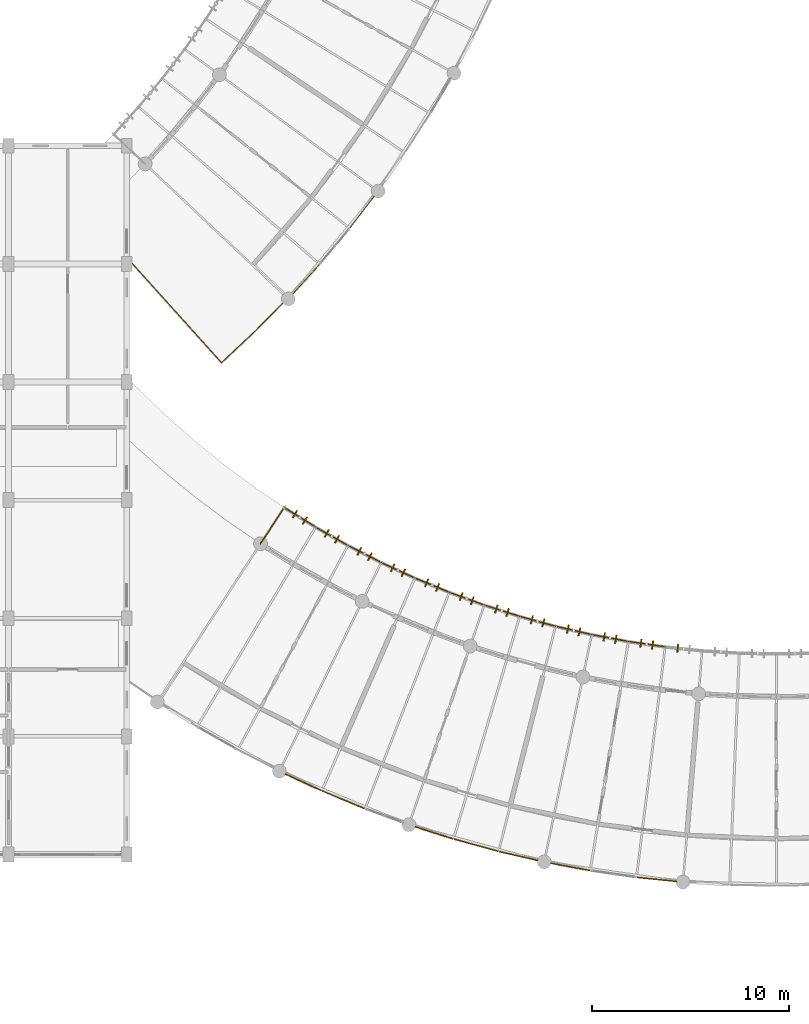
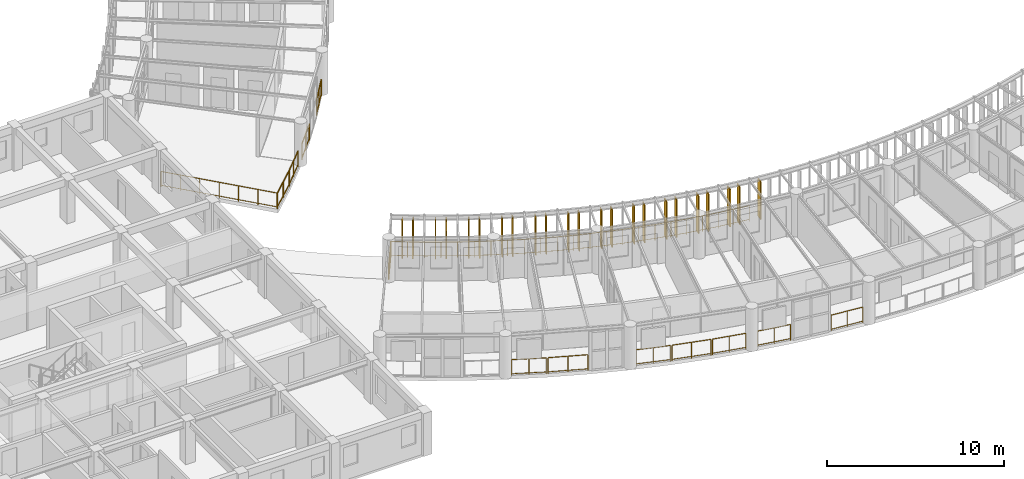
# One storey, part 89 of 100: 24 railings, 23 shading devices.
"""IFC4 building model written with IfcOpenShell, lengths in metres."""

import ifcopenshell
import ifcopenshell.guid

model = None  # the IFC model being written
_history = None  # IfcOwnerHistory: only IFC2X3 demands one
_inside = {}  # id of a spatial element -> (the spatial element, [elements in it])
_under = {}  # id of a project, library or spatial element -> (it, [spatial elements below it])
_declared = {}  # id of a project -> (the project, [libraries it declares])
_typed = {}  # id of a type object -> (the type object, [elements of that type])
_made_of = {}  # id of a material, layer set ... -> (it, [elements and type objects made of it])


def new_model(schema):
    """Start an empty IFC model of exactly this schema.

    Asked for "IFC4X3", IfcOpenShell would pick the latest addendum, in which some entities
    have other attributes; the version numbers below select the first issue.
    IFC2X3 requires an IfcOwnerHistory on every rooted entity: one is made here for all.
    """
    global model, _history
    if schema == "IFC4X3":
        model = ifcopenshell.file(schema_version=(4, 3, 0, 0))
    else:
        model = ifcopenshell.file(schema=schema)
    _inside.clear()
    _under.clear()
    _declared.clear()
    _typed.clear()
    _made_of.clear()
    _history = None
    if model.schema == "IFC2X3":
        org = make("IfcOrganization", Name="unknown")
        user = make(
            "IfcPersonAndOrganization",
            ThePerson=make("IfcPerson", FamilyName="unknown"),
            TheOrganization=org,
        )
        app = make(
            "IfcApplication",
            ApplicationDeveloper=org,
            Version="unknown",
            ApplicationFullName="unknown",
            ApplicationIdentifier="unknown",
        )
        _history = make(
            "IfcOwnerHistory",
            OwningUser=user,
            OwningApplication=app,
            ChangeAction="ADDED",
            CreationDate=0,
        )
    return model


def make(cls, **values):
    """One entity of the class cls with the attributes given. An attribute that is None is left unset."""
    return model.create_entity(
        cls, **{name: value for name, value in values.items() if value is not None}
    )


def rooted(cls, **values):
    """An entity with a GlobalId (a new one), such as an element, a storey or a relation."""
    return make(cls, GlobalId=ifcopenshell.guid.new(), OwnerHistory=_history, **values)


def si_unit(unit_type, name, prefix=None):
    """IfcSIUnit, for example si_unit("LENGTHUNIT", "METRE", prefix="MILLI")."""
    return make("IfcSIUnit", UnitType=unit_type, Prefix=prefix, Name=name)


def assignment(units):
    """IfcUnitAssignment: the units of a project."""
    return None if units is None else make("IfcUnitAssignment", Units=units)


def point(xyz):
    """IfcCartesianPoint."""
    return None if xyz is None else make("IfcCartesianPoint", Coordinates=xyz)


def direction(xyz):
    """IfcDirection."""
    return None if xyz is None else make("IfcDirection", DirectionRatios=xyz)


def frame(location, z_axis=None, x_axis=None):
    """IfcAxis2Placement3D, a coordinate frame: its origin and axes. An axis left out is left unset."""
    return make(
        "IfcAxis2Placement3D",
        Location=point(location),
        Axis=direction(z_axis),
        RefDirection=direction(x_axis),
    )


def frame_2d(location, x_axis=None):
    """IfcAxis2Placement2D, a coordinate frame in the plane: its origin and x axis."""
    return make(
        "IfcAxis2Placement2D", Location=point(location), RefDirection=direction(x_axis)
    )


def origin():
    """The frame at (0, 0, 0) with its axes left unset."""
    return frame((0.0, 0.0, 0.0))


def origin_2d():
    """The frame at (0, 0) in the plane with its x axis left unset."""
    return frame_2d((0.0, 0.0))


def place(relative_to, where):
    """IfcLocalPlacement: puts the frame where relative to a parent placement (None: the world)."""
    return make(
        "IfcLocalPlacement", PlacementRelTo=relative_to, RelativePlacement=where
    )


def context(
    kind, dimensions, precision=None, world=None, true_north=None, identifier=None
):
    """IfcGeometricRepresentationContext, for example the 3D "Model" context."""
    return make(
        "IfcGeometricRepresentationContext",
        ContextIdentifier=identifier,
        ContextType=kind,
        CoordinateSpaceDimension=dimensions,
        Precision=precision,
        WorldCoordinateSystem=world,
        TrueNorth=true_north,
    )


def subcontext(parent, identifier, kind, view, scale=None):
    """IfcGeometricRepresentationSubContext, for example "Body" below "Model"."""
    return make(
        "IfcGeometricRepresentationSubContext",
        ContextIdentifier=identifier,
        ContextType=kind,
        ParentContext=parent,
        TargetScale=scale,
        TargetView=view,
    )


def project(units=None, contexts=None):
    """IfcProject with its units and contexts."""
    return rooted(
        "IfcProject",
        Name="project",
        RepresentationContexts=contexts,
        UnitsInContext=assignment(units),
    )


def spatial(cls, under=None, at=None, **own):
    """A site, building, storey or space (cls), placed at a placement, below another one or the project."""
    s = rooted(cls, ObjectPlacement=at, **own)
    if under is not None:
        _under.setdefault(under.id(), (under, []))[1].append(s)
    return s


def profile(cls, at=None, kind="AREA", **sizes):
    """A parametric profile (cls). Its sizes go by their IFC names, for example OverallWidth=200.0."""
    return make(cls, ProfileType=kind, Position=at, **sizes)


def rectangle(**sizes):
    """IfcRectangleProfileDef."""
    return profile("IfcRectangleProfileDef", **sizes)


def circle(**sizes):
    """IfcCircleProfileDef."""
    return profile("IfcCircleProfileDef", **sizes)


def extrude(swept, where, along, depth):
    """IfcExtrudedAreaSolid: the profile swept, set in the frame where, extruded along a direction by depth."""
    return make(
        "IfcExtrudedAreaSolid",
        SweptArea=swept,
        Position=where,
        ExtrudedDirection=direction(along),
        Depth=depth,
    )


def shape(context_of_items, identifier, shape_type, items):
    """IfcShapeRepresentation: the items that make up one representation, for example the "Body"."""
    return make(
        "IfcShapeRepresentation",
        ContextOfItems=context_of_items,
        RepresentationIdentifier=identifier,
        RepresentationType=shape_type,
        Items=items,
    )


def material(Name=None, Category=None):
    """IfcMaterial."""
    return make("IfcMaterial", Name=Name, Category=Category)


def layer(
    of_material, thickness, ventilated=None, Name=None, Category=None, Priority=None
):
    """IfcMaterialLayer: one layer of a wall or slab, of a material (None: an air gap)."""
    return make(
        "IfcMaterialLayer",
        Material=of_material,
        LayerThickness=thickness,
        IsVentilated=ventilated,
        Name=Name,
        Category=Category,
        Priority=Priority,
    )


def layer_set(layers, Name=None):
    """IfcMaterialLayerSet."""
    return make("IfcMaterialLayerSet", MaterialLayers=layers, LayerSetName=Name)


def made_of(thing, what):
    """Note that an element or type object is made of a material, layer set ...; save() writes the relation."""
    if what is not None:
        _made_of.setdefault(what.id(), (what, []))[1].append(thing)
    return thing


def type_object(cls, material=None, **own):
    """A type object (cls), such as IfcWallType, which elements share."""
    return made_of(rooted(cls, **own), material)


def element(
    cls,
    number,
    at=None,
    inside=None,
    cuts=None,
    type_object=None,
    material=None,
    context=None,
    identifier="Body",
    shape_type=None,
    held_by="IfcProductDefinitionShape",
    body=None,
    shapes=None,
    **own,
):
    """One element of the class cls, such as IfcWall. Its Tag is "e" and its number.

    at: its placement. inside: the storey or other place that contains it. cuts: it is an
    opening in that element (IfcRelVoidsElement). A single representation is given by context,
    identifier, shape_type and body (its items); several are given by shapes. held_by: the class
    of the entity that holds the representations. save() writes the other relations.
    """
    e = rooted(cls, Tag="e%d" % number, ObjectPlacement=at, **own)
    if body is not None:
        shapes = [shape(context, identifier, shape_type, body)]
    if shapes is not None:
        e.Representation = make(held_by, Representations=shapes)
    if inside is not None:
        _inside.setdefault(inside.id(), (inside, []))[1].append(e)
    if cuts is not None:
        rooted(
            "IfcRelVoidsElement", RelatingBuildingElement=cuts, RelatedOpeningElement=e
        )
    if type_object is not None:
        _typed.setdefault(type_object.id(), (type_object, []))[1].append(e)
    return made_of(e, material)


def aggregate(whole, parts):
    """IfcRelAggregates: a whole, such as a stair, and the parts it consists of."""
    return rooted("IfcRelAggregates", RelatingObject=whole, RelatedObjects=parts)


def save(model, path):
    """Write the relations noted so far, then the file.

    IfcRelAggregates (storeys below a building ...), IfcRelContainedInSpatialStructure (elements
    in a storey), IfcRelDefinesByType, IfcRelAssociatesMaterial and IfcRelDeclares: one each for
    every whole, place, type object, material and project.
    """
    for whole, parts in _under.values():
        aggregate(whole, parts)
    for where, things in _inside.values():
        rooted(
            "IfcRelContainedInSpatialStructure",
            RelatedElements=things,
            RelatingStructure=where,
        )
    for kind, things in _typed.values():
        rooted("IfcRelDefinesByType", RelatedObjects=things, RelatingType=kind)
    for what, things in _made_of.values():
        rooted("IfcRelAssociatesMaterial", RelatedObjects=things, RelatingMaterial=what)
    for by, libraries in _declared.values():
        rooted("IfcRelDeclares", RelatingContext=by, RelatedDefinitions=libraries)
    model.write(path)


model = new_model("IFC4")

# Units and contexts
model_context = context("Model", 3, precision=1e-05, world=origin(), true_north=direction((0.0, 1.0)))
body_context = subcontext(model_context, "Body", "Model", "MODEL_VIEW")
ifc_project = project(units=[si_unit("LENGTHUNIT", "METRE"), si_unit("AREAUNIT", "SQUARE_METRE"), si_unit("VOLUMEUNIT", "CUBIC_METRE"), si_unit("PLANEANGLEUNIT", "RADIAN"), si_unit("MASSUNIT", "GRAM", prefix="KILO"), si_unit("POWERUNIT", "WATT"), si_unit("THERMODYNAMICTEMPERATUREUNIT", "KELVIN")], contexts=[model_context])

# Site, building, storey
site_placement = place(None, origin())
site = spatial("IfcSite", under=ifc_project, at=site_placement, CompositionType="ELEMENT")
building_placement = place(site_placement, origin())
building = spatial("IfcBuilding", under=site, at=building_placement, Name="Ruvembo Vaulted Housing Court", CompositionType="ELEMENT")
storey_placement = place(building_placement, frame((0.0, 0.0, 10.89990234375)))
storey = spatial("IfcBuildingStorey", under=building, at=storey_placement, Name="L03", CompositionType="ELEMENT", Elevation=10.89990234375)

# Railings
ifc_material_1 = material(Name="Galvanised Painted Steel and Laminated Glass", Category="steel")
ifc_layer_1 = layer(ifc_material_1, 0.070068359375, Name="Galvanised Painted Steel and Laminated Glass")
ifc_layer_set_1 = layer_set([ifc_layer_1], Name="Galvanised Painted Steel and Laminated Glass")
railing_type_1 = type_object("IfcRailingType", Name="RL-BALUST-1120", PredefinedType="BALUSTRADE", material=ifc_layer_set_1)
railing_1_placement = place(storey_placement, frame((44.442626953125, 34.47900390625, 0.0)))
element("IfcRailing", 1, at=railing_1_placement, inside=storey, type_object=railing_type_1, Name="L03 Perimeter Guard RL-EXT-L03-0109", PredefinedType="BALUSTRADE", context=body_context, shape_type="SweptSolid", body=[
    extrude(circle(Radius=0.02392578125, at=origin_2d()), frame((0.0, 0.0, 1.09619140625), z_axis=(0.670893916211, 0.741553338062, 0.0), x_axis=(-0.741553338062, 0.670893916211, 0.0)), (0.0, 0.0, 1.0), 1.976318359375),
    extrude(circle(Radius=0.01806640625, at=origin_2d()), frame((0.0, 0.0, 0.1201171875), z_axis=(0.670893916211, 0.741553338062, 0.0), x_axis=(-0.741553338062, 0.670893916211, 0.0)), (0.0, 0.0, 1.0), 1.976318359375),
    extrude(circle(Radius=0.02099609375, at=origin_2d()), origin(), (0.0, 0.0, 1.0), 1.072021484375),
    extrude(circle(Radius=0.02099609375, at=origin_2d()), frame((0.6630859375, 0.73291015625, 0.0)), (0.0, 0.0, 1.0), 1.072021484375),
    extrude(circle(Radius=0.02099609375, at=origin_2d()), frame((1.325927734375, 1.465576171875, 0.0)), (0.0, 0.0, 1.0), 1.072021484375),
])
railing_2_placement = place(storey_placement, frame((47.35302734375, 37.847900390625, 0.0)))
element("IfcRailing", 2, at=railing_2_placement, inside=storey, type_object=railing_type_1, Name="L03 Perimeter Guard RL-EXT-L03-0110", PredefinedType="BALUSTRADE", context=body_context, shape_type="SweptSolid", body=[
    extrude(circle(Radius=0.02392578125, at=origin_2d()), frame((0.0, 0.0, 1.09619140625), z_axis=(0.607954304296, 0.793972017069, 0.0), x_axis=(-0.793972017069, 0.607954304296, 0.0)), (0.0, 0.0, 1.0), 1.9765625),
    extrude(circle(Radius=0.01806640625, at=origin_2d()), frame((0.0, 0.0, 0.1201171875), z_axis=(0.607954304296, 0.793972017069, 0.0), x_axis=(-0.793972017069, 0.607954304296, 0.0)), (0.0, 0.0, 1.0), 1.9765625),
    extrude(circle(Radius=0.02099609375, at=origin_2d()), origin(), (0.0, 0.0, 1.0), 1.072021484375),
    extrude(circle(Radius=0.02099609375, at=origin_2d()), frame((0.600830078125, 0.78466796875, 0.0)), (0.0, 0.0, 1.0), 1.072021484375),
    extrude(circle(Radius=0.02099609375, at=origin_2d()), frame((1.20166015625, 1.5693359375, 0.0)), (0.0, 0.0, 1.0), 1.072021484375),
])
railing_3_placement = place(storey_placement, frame((44.0673828125, 10.08251953125, 0.0)))
element("IfcRailing", 3, at=railing_3_placement, inside=storey, type_object=railing_type_1, Name="L03 Perimeter Guard RL-EXT-L03-0372", PredefinedType="BALUSTRADE", context=body_context, shape_type="SweptSolid", body=[
    extrude(circle(Radius=0.02392578125, at=origin_2d()), frame((0.0, 0.0, 1.09619140625), z_axis=(0.907673517056, -0.41967700251, 0.0), x_axis=(0.41967700251, 0.907673517056, 0.0)), (0.0, 0.0, 1.0), 1.97607421875),
    extrude(circle(Radius=0.01806640625, at=origin_2d()), frame((0.0, 0.0, 0.1201171875), z_axis=(0.907673517056, -0.41967700251, 0.0), x_axis=(0.41967700251, 0.907673517056, 0.0)), (0.0, 0.0, 1.0), 1.97607421875),
    extrude(circle(Radius=0.02099609375, at=origin_2d()), origin(), (0.0, 0.0, 1.0), 1.072021484375),
    extrude(circle(Radius=0.02099609375, at=origin_2d()), frame((0.89697265625, -0.41455078125, 0.0)), (0.0, 0.0, 1.0), 1.072021484375),
    extrude(circle(Radius=0.02099609375, at=origin_2d()), frame((1.793701171875, -0.829345703125, 0.0)), (0.0, 0.0, 1.0), 1.072021484375),
])
railing_4_placement = place(storey_placement, frame((45.95263671875, 9.213134765625, 0.0)))
element("IfcRailing", 4, at=railing_4_placement, inside=storey, type_object=railing_type_1, Name="L03 Perimeter Guard RL-EXT-L03-0373", PredefinedType="BALUSTRADE", context=body_context, shape_type="SweptSolid", body=[
    extrude(circle(Radius=0.02392578125, at=origin_2d()), frame((0.0, 0.0, 1.09619140625), z_axis=(0.924177481842, -0.381963325538, 0.0), x_axis=(0.381963325538, 0.924177481842, 0.0)), (0.0, 0.0, 1.0), 2.276123046875),
    extrude(circle(Radius=0.01806640625, at=origin_2d()), frame((0.0, 0.0, 0.1201171875), z_axis=(0.924177481842, -0.381963325538, 0.0), x_axis=(0.381963325538, 0.924177481842, 0.0)), (0.0, 0.0, 1.0), 2.276123046875),
    extrude(circle(Radius=0.02099609375, at=origin_2d()), origin(), (0.0, 0.0, 1.0), 1.072021484375),
    extrude(circle(Radius=0.02099609375, at=origin_2d()), frame((1.0517578125, -0.4345703125, 0.0)), (0.0, 0.0, 1.0), 1.072021484375),
    extrude(circle(Radius=0.02099609375, at=origin_2d()), frame((2.103515625, -0.869384765625, 0.0)), (0.0, 0.0, 1.0), 1.072021484375),
])
railing_5_placement = place(storey_placement, frame((50.6669921875, 7.40185546875, 0.0)))
element("IfcRailing", 5, at=railing_5_placement, inside=storey, type_object=railing_type_1, Name="L03 Perimeter Guard RL-EXT-L03-0374", PredefinedType="BALUSTRADE", context=body_context, shape_type="SweptSolid", body=[
    extrude(circle(Radius=0.02392578125, at=origin_2d()), frame((0.0, 0.0, 1.09619140625), z_axis=(0.952538839292, -0.304417081714, 0.0), x_axis=(0.304417081714, 0.952538839292, 0.0)), (0.0, 0.0, 1.0), 1.97607421875),
    extrude(circle(Radius=0.01806640625, at=origin_2d()), frame((0.0, 0.0, 0.1201171875), z_axis=(0.952538839292, -0.304417081714, 0.0), x_axis=(0.304417081714, 0.952538839292, 0.0)), (0.0, 0.0, 1.0), 1.97607421875),
    extrude(circle(Radius=0.02099609375, at=origin_2d()), origin(), (0.0, 0.0, 1.0), 1.072021484375),
    extrude(circle(Radius=0.02099609375, at=origin_2d()), frame((0.941162109375, -0.30078125, 0.0)), (0.0, 0.0, 1.0), 1.072021484375),
    extrude(circle(Radius=0.02099609375, at=origin_2d()), frame((1.88232421875, -0.6015625, 0.0)), (0.0, 0.0, 1.0), 1.072021484375),
])
railing_6_placement = place(storey_placement, frame((52.64501953125, 6.771728515625, 0.0)))
element("IfcRailing", 6, at=railing_6_placement, inside=storey, type_object=railing_type_1, Name="L03 Perimeter Guard RL-EXT-L03-0375", PredefinedType="BALUSTRADE", context=body_context, shape_type="SweptSolid", body=[
    extrude(circle(Radius=0.02392578125, at=origin_2d()), frame((0.0, 0.0, 1.09619140625), z_axis=(0.964267067666, -0.264932108691, 0.0), x_axis=(0.264932108691, 0.964267067666, 0.0)), (0.0, 0.0, 1.0), 2.276123046875),
    extrude(circle(Radius=0.01806640625, at=origin_2d()), frame((0.0, 0.0, 0.1201171875), z_axis=(0.964267067666, -0.264932108691, 0.0), x_axis=(0.264932108691, 0.964267067666, 0.0)), (0.0, 0.0, 1.0), 2.276123046875),
    extrude(circle(Radius=0.02099609375, at=origin_2d()), origin(), (0.0, 0.0, 1.0), 1.072021484375),
    extrude(circle(Radius=0.02099609375, at=origin_2d()), frame((1.097412109375, -0.301513671875, 0.0)), (0.0, 0.0, 1.0), 1.072021484375),
    extrude(circle(Radius=0.02099609375, at=origin_2d()), frame((2.19482421875, -0.60302734375, 0.0)), (0.0, 0.0, 1.0), 1.072021484375),
])
railing_7_placement = place(storey_placement, frame((54.936767578125, 6.144287109375, 0.0)))
element("IfcRailing", 7, at=railing_7_placement, inside=storey, type_object=railing_type_1, Name="L03 Perimeter Guard RL-EXT-L03-0376", PredefinedType="BALUSTRADE", context=body_context, shape_type="SweptSolid", body=[
    extrude(circle(Radius=0.02392578125, at=origin_2d()), frame((0.0, 0.0, 1.09619140625), z_axis=(0.974359950311, -0.224994860451, 0.0), x_axis=(0.224994860451, 0.974359950311, 0.0)), (0.0, 0.0, 1.0), 1.97607421875),
    extrude(circle(Radius=0.01806640625, at=origin_2d()), frame((0.0, 0.0, 0.1201171875), z_axis=(0.974359950311, -0.224994860451, 0.0), x_axis=(0.224994860451, 0.974359950311, 0.0)), (0.0, 0.0, 1.0), 1.97607421875),
    extrude(circle(Radius=0.02099609375, at=origin_2d()), origin(), (0.0, 0.0, 1.0), 1.072021484375),
    extrude(circle(Radius=0.02099609375, at=origin_2d()), frame((0.962646484375, -0.22216796875, 0.0)), (0.0, 0.0, 1.0), 1.072021484375),
    extrude(circle(Radius=0.02099609375, at=origin_2d()), frame((1.92529296875, -0.444580078125, 0.0)), (0.0, 0.0, 1.0), 1.072021484375),
])
railing_8_placement = place(storey_placement, frame((57.547119140625, 5.556396484375, 0.0)))
element("IfcRailing", 8, at=railing_8_placement, inside=storey, type_object=railing_type_1, Name="L03 Perimeter Guard RL-EXT-L03-0377", PredefinedType="BALUSTRADE", context=body_context, shape_type="SweptSolid", body=[
    extrude(circle(Radius=0.02392578125, at=origin_2d()), frame((0.0, 0.0, 1.09619140625), z_axis=(0.982817596647, -0.184579445555, 0.0), x_axis=(0.184579445555, 0.982817596647, 0.0)), (0.0, 0.0, 1.0), 1.97607421875),
    extrude(circle(Radius=0.01806640625, at=origin_2d()), frame((0.0, 0.0, 0.1201171875), z_axis=(0.982817596647, -0.184579445555, 0.0), x_axis=(0.184579445555, 0.982817596647, 0.0)), (0.0, 0.0, 1.0), 1.97607421875),
    extrude(circle(Radius=0.02099609375, at=origin_2d()), origin(), (0.0, 0.0, 1.0), 1.072021484375),
    extrude(circle(Radius=0.02099609375, at=origin_2d()), frame((0.97119140625, -0.182373046875, 0.0)), (0.0, 0.0, 1.0), 1.072021484375),
    extrude(circle(Radius=0.02099609375, at=origin_2d()), frame((1.942138671875, -0.36474609375, 0.0)), (0.0, 0.0, 1.0), 1.072021484375),
])
railing_9_placement = place(storey_placement, frame((61.939208984375, 4.83544921875, 0.0)))
element("IfcRailing", 9, at=railing_9_placement, inside=storey, type_object=railing_type_1, Name="L03 Perimeter Guard RL-EXT-L03-0378", PredefinedType="BALUSTRADE", context=body_context, shape_type="SweptSolid", body=[
    extrude(circle(Radius=0.02392578125, at=origin_2d()), frame((0.0, 0.0, 1.09619140625), z_axis=(0.994677394502, -0.103038249536, 0.0), x_axis=(0.103038249536, 0.994677394502, 0.0)), (0.0, 0.0, 1.0), 1.97607421875),
    extrude(circle(Radius=0.01806640625, at=origin_2d()), frame((0.0, 0.0, 0.1201171875), z_axis=(0.994677394502, -0.103038249536, 0.0), x_axis=(0.103038249536, 0.994677394502, 0.0)), (0.0, 0.0, 1.0), 1.97607421875),
    extrude(circle(Radius=0.02099609375, at=origin_2d()), origin(), (0.0, 0.0, 1.0), 1.072021484375),
    extrude(circle(Radius=0.02099609375, at=origin_2d()), frame((0.98291015625, -0.101806640625, 0.0)), (0.0, 0.0, 1.0), 1.072021484375),
    extrude(circle(Radius=0.02099609375, at=origin_2d()), frame((1.965576171875, -0.20361328125, 0.0)), (0.0, 0.0, 1.0), 1.072021484375),
])
ifc_material_2 = material(Name="Galvanised Painted Steel S275", Category="steel")
ifc_layer_2 = layer(ifc_material_2, 0.06005859375, Name="Galvanised Painted Steel S275")
ifc_layer_set_2 = layer_set([ifc_layer_2], Name="Galvanised Painted Steel S275")
railing_type_2 = type_object("IfcRailingType", Name="RL-GUARD-1100", PredefinedType="GUARDRAIL", material=ifc_layer_set_2)
railing_10_placement = place(storey_placement, frame((42.79345703125, 21.785400390625, 0.0)))
element("IfcRailing", 10, at=railing_10_placement, inside=storey, type_object=railing_type_2, Name="L03 Perimeter Guard RL-EXT-L03-0340", PredefinedType="GUARDRAIL", context=body_context, shape_type="SweptSolid", body=[
    extrude(circle(Radius=0.02392578125, at=origin_2d()), frame((0.0, 0.0, 1.076171875), z_axis=(0.546013859183, 0.837776142881, 0.0), x_axis=(-0.837776142881, 0.546013859183, 0.0)), (0.0, 0.0, 1.0), 2.199951171875),
    extrude(circle(Radius=0.01806640625, at=origin_2d()), frame((0.0, 0.0, 0.1201171875), z_axis=(0.546013859183, 0.837776142881, 0.0), x_axis=(-0.837776142881, 0.546013859183, 0.0)), (0.0, 0.0, 1.0), 2.199951171875),
    extrude(circle(Radius=0.02099609375, at=origin_2d()), origin(), (0.0, 0.0, 1.0), 1.052001953125),
    extrude(circle(Radius=0.02099609375, at=origin_2d()), frame((0.6005859375, 0.92138671875, 0.0)), (0.0, 0.0, 1.0), 1.052001953125),
    extrude(circle(Radius=0.02099609375, at=origin_2d()), frame((1.201171875, 1.843017578125, 0.0)), (0.0, 0.0, 1.0), 1.052001953125),
])
railing_11_placement = place(storey_placement, frame((43.99462890625, 23.62841796875, 0.0)))
element("IfcRailing", 11, at=railing_11_placement, inside=storey, type_object=railing_type_2, Name="L03 Perimeter Guard RL-EXT-L03-0341", PredefinedType="GUARDRAIL", context=body_context, shape_type="SweptSolid", body=[
    extrude(circle(Radius=0.02392578125, at=origin_2d()), frame((0.0, 0.0, 1.076171875), z_axis=(0.848904567119, -0.52854615307, 0.0), x_axis=(0.52854615307, 0.848904567119, 0.0)), (0.0, 0.0, 1.0), 1.88916015625),
    extrude(circle(Radius=0.01806640625, at=origin_2d()), frame((0.0, 0.0, 0.1201171875), z_axis=(0.848904567119, -0.52854615307, 0.0), x_axis=(0.52854615307, 0.848904567119, 0.0)), (0.0, 0.0, 1.0), 1.88916015625),
    extrude(circle(Radius=0.02099609375, at=origin_2d()), origin(), (0.0, 0.0, 1.0), 1.052001953125),
    extrude(circle(Radius=0.02099609375, at=origin_2d()), frame((0.8017578125, -0.499267578125, 0.0)), (0.0, 0.0, 1.0), 1.052001953125),
    extrude(circle(Radius=0.02099609375, at=origin_2d()), frame((1.603759765625, -0.99853515625, 0.0)), (0.0, 0.0, 1.0), 1.052001953125),
])
railing_12_placement = place(storey_placement, frame((45.598388671875, 22.6298828125, 0.0)))
element("IfcRailing", 12, at=railing_12_placement, inside=storey, type_object=railing_type_2, Name="L03 Perimeter Guard RL-EXT-L03-0342", PredefinedType="GUARDRAIL", context=body_context, shape_type="SweptSolid", body=[
    extrude(circle(Radius=0.02392578125, at=origin_2d()), frame((0.0, 0.0, 1.076171875), z_axis=(0.869955662473, -0.493129947712, 0.0), x_axis=(0.493129947712, 0.869955662473, 0.0)), (0.0, 0.0, 1.0), 1.88916015625),
    extrude(circle(Radius=0.01806640625, at=origin_2d()), frame((0.0, 0.0, 0.1201171875), z_axis=(0.869955662473, -0.493129947712, 0.0), x_axis=(0.493129947712, 0.869955662473, 0.0)), (0.0, 0.0, 1.0), 1.88916015625),
    extrude(circle(Radius=0.02099609375, at=origin_2d()), origin(), (0.0, 0.0, 1.0), 1.052001953125),
    extrude(circle(Radius=0.02099609375, at=origin_2d()), frame((0.82177734375, -0.4658203125, 0.0)), (0.0, 0.0, 1.0), 1.052001953125),
    extrude(circle(Radius=0.02099609375, at=origin_2d()), frame((1.6435546875, -0.931640625, 0.0)), (0.0, 0.0, 1.0), 1.052001953125),
])
railing_13_placement = place(storey_placement, frame((47.241943359375, 21.6982421875, 0.0)))
element("IfcRailing", 13, at=railing_13_placement, inside=storey, type_object=railing_type_2, Name="L03 Perimeter Guard RL-EXT-L03-0343", PredefinedType="GUARDRAIL", context=body_context, shape_type="SweptSolid", body=[
    extrude(circle(Radius=0.02392578125, at=origin_2d()), frame((0.0, 0.0, 1.076171875), z_axis=(0.889568437347, -0.45680192127, 0.0), x_axis=(0.45680192127, 0.889568437347, 0.0)), (0.0, 0.0, 1.0), 1.889404296875),
    extrude(circle(Radius=0.01806640625, at=origin_2d()), frame((0.0, 0.0, 0.1201171875), z_axis=(0.889568437347, -0.45680192127, 0.0), x_axis=(0.45680192127, 0.889568437347, 0.0)), (0.0, 0.0, 1.0), 1.889404296875),
    extrude(circle(Radius=0.02099609375, at=origin_2d()), origin(), (0.0, 0.0, 1.0), 1.052001953125),
    extrude(circle(Radius=0.02099609375, at=origin_2d()), frame((0.84033203125, -0.431640625, 0.0)), (0.0, 0.0, 1.0), 1.052001953125),
    extrude(circle(Radius=0.02099609375, at=origin_2d()), frame((1.6806640625, -0.863037109375, 0.0)), (0.0, 0.0, 1.0), 1.052001953125),
])
railing_14_placement = place(storey_placement, frame((48.922607421875, 20.835205078125, 0.0)))
element("IfcRailing", 14, at=railing_14_placement, inside=storey, type_object=railing_type_2, Name="L03 Perimeter Guard RL-EXT-L03-0344", PredefinedType="GUARDRAIL", context=body_context, shape_type="SweptSolid", body=[
    extrude(circle(Radius=0.02392578125, at=origin_2d()), frame((0.0, 0.0, 1.076171875), z_axis=(0.907656578832, -0.419713634403, 0.0), x_axis=(0.419713634403, 0.907656578832, 0.0)), (0.0, 0.0, 1.0), 1.889404296875),
    extrude(circle(Radius=0.01806640625, at=origin_2d()), frame((0.0, 0.0, 0.1201171875), z_axis=(0.907656578832, -0.419713634403, 0.0), x_axis=(0.419713634403, 0.907656578832, 0.0)), (0.0, 0.0, 1.0), 1.889404296875),
    extrude(circle(Radius=0.02099609375, at=origin_2d()), origin(), (0.0, 0.0, 1.0), 1.052001953125),
    extrude(circle(Radius=0.02099609375, at=origin_2d()), frame((0.857421875, -0.396484375, 0.0)), (0.0, 0.0, 1.0), 1.052001953125),
    extrude(circle(Radius=0.02099609375, at=origin_2d()), frame((1.71484375, -0.79296875, 0.0)), (0.0, 0.0, 1.0), 1.052001953125),
])
railing_15_placement = place(storey_placement, frame((50.637451171875, 20.042236328125, 0.0)))
element("IfcRailing", 15, at=railing_15_placement, inside=storey, type_object=railing_type_2, Name="L03 Perimeter Guard RL-EXT-L03-0345", PredefinedType="GUARDRAIL", context=body_context, shape_type="SweptSolid", body=[
    extrude(circle(Radius=0.02392578125, at=origin_2d()), frame((0.0, 0.0, 1.076171875), z_axis=(0.924155321549, -0.38201693896, 0.0), x_axis=(0.38201693896, 0.924155321549, 0.0)), (0.0, 0.0, 1.0), 1.88916015625),
    extrude(circle(Radius=0.01806640625, at=origin_2d()), frame((0.0, 0.0, 0.1201171875), z_axis=(0.924155321549, -0.38201693896, 0.0), x_axis=(0.38201693896, 0.924155321549, 0.0)), (0.0, 0.0, 1.0), 1.88916015625),
    extrude(circle(Radius=0.02099609375, at=origin_2d()), origin(), (0.0, 0.0, 1.0), 1.052001953125),
    extrude(circle(Radius=0.02099609375, at=origin_2d()), frame((0.873046875, -0.36083984375, 0.0)), (0.0, 0.0, 1.0), 1.052001953125),
    extrude(circle(Radius=0.02099609375, at=origin_2d()), frame((1.745849609375, -0.7216796875, 0.0)), (0.0, 0.0, 1.0), 1.052001953125),
])
railing_16_placement = place(storey_placement, frame((52.38330078125, 19.320556640625, 0.0)))
element("IfcRailing", 16, at=railing_16_placement, inside=storey, type_object=railing_type_2, Name="L03 Perimeter Guard RL-EXT-L03-0346", PredefinedType="GUARDRAIL", context=body_context, shape_type="SweptSolid", body=[
    extrude(circle(Radius=0.02392578125, at=origin_2d()), frame((0.0, 0.0, 1.076171875), z_axis=(0.939165556371, -0.343464783824, 0.0), x_axis=(0.343464783824, 0.939165556371, 0.0)), (0.0, 0.0, 1.0), 1.889404296875),
    extrude(circle(Radius=0.01806640625, at=origin_2d()), frame((0.0, 0.0, 0.1201171875), z_axis=(0.939165556371, -0.343464783824, 0.0), x_axis=(0.343464783824, 0.939165556371, 0.0)), (0.0, 0.0, 1.0), 1.889404296875),
    extrude(circle(Radius=0.02099609375, at=origin_2d()), origin(), (0.0, 0.0, 1.0), 1.052001953125),
    extrude(circle(Radius=0.02099609375, at=origin_2d()), frame((0.88720703125, -0.324462890625, 0.0)), (0.0, 0.0, 1.0), 1.052001953125),
    extrude(circle(Radius=0.02099609375, at=origin_2d()), frame((1.7744140625, -0.64892578125, 0.0)), (0.0, 0.0, 1.0), 1.052001953125),
])
railing_17_placement = place(storey_placement, frame((54.15771484375, 18.671630859375, 0.0)))
element("IfcRailing", 17, at=railing_17_placement, inside=storey, type_object=railing_type_2, Name="L03 Perimeter Guard RL-EXT-L03-0347", PredefinedType="GUARDRAIL", context=body_context, shape_type="SweptSolid", body=[
    extrude(circle(Radius=0.02392578125, at=origin_2d()), frame((0.0, 0.0, 1.076171875), z_axis=(0.952526124364, -0.304456864605, 0.0), x_axis=(0.304456864605, 0.952526124364, 0.0)), (0.0, 0.0, 1.0), 1.88916015625),
    extrude(circle(Radius=0.01806640625, at=origin_2d()), frame((0.0, 0.0, 0.1201171875), z_axis=(0.952526124364, -0.304456864605, 0.0), x_axis=(0.304456864605, 0.952526124364, 0.0)), (0.0, 0.0, 1.0), 1.88916015625),
    extrude(circle(Radius=0.02099609375, at=origin_2d()), origin(), (0.0, 0.0, 1.0), 1.052001953125),
    extrude(circle(Radius=0.02099609375, at=origin_2d()), frame((0.89990234375, -0.28759765625, 0.0)), (0.0, 0.0, 1.0), 1.052001953125),
    extrude(circle(Radius=0.02099609375, at=origin_2d()), frame((1.799560546875, -0.5751953125, 0.0)), (0.0, 0.0, 1.0), 1.052001953125),
])
railing_18_placement = place(storey_placement, frame((55.957275390625, 18.096435546875, 0.0)))
element("IfcRailing", 18, at=railing_18_placement, inside=storey, type_object=railing_type_2, Name="L03 Perimeter Guard RL-EXT-L03-0348", PredefinedType="GUARDRAIL", context=body_context, shape_type="SweptSolid", body=[
    extrude(circle(Radius=0.02392578125, at=origin_2d()), frame((0.0, 0.0, 1.076171875), z_axis=(0.964240073493, -0.26503033915, 0.0), x_axis=(0.26503033915, 0.964240073493, 0.0)), (0.0, 0.0, 1.0), 1.889404296875),
    extrude(circle(Radius=0.01806640625, at=origin_2d()), frame((0.0, 0.0, 0.1201171875), z_axis=(0.964240073493, -0.26503033915, 0.0), x_axis=(0.26503033915, 0.964240073493, 0.0)), (0.0, 0.0, 1.0), 1.889404296875),
    extrude(circle(Radius=0.02099609375, at=origin_2d()), origin(), (0.0, 0.0, 1.0), 1.052001953125),
    extrude(circle(Radius=0.02099609375, at=origin_2d()), frame((0.910888671875, -0.25048828125, 0.0)), (0.0, 0.0, 1.0), 1.052001953125),
    extrude(circle(Radius=0.02099609375, at=origin_2d()), frame((1.82177734375, -0.500732421875, 0.0)), (0.0, 0.0, 1.0), 1.052001953125),
])
railing_19_placement = place(storey_placement, frame((57.779052734375, 17.595703125, 0.0)))
element("IfcRailing", 19, at=railing_19_placement, inside=storey, type_object=railing_type_2, Name="L03 Perimeter Guard RL-EXT-L03-0349", PredefinedType="GUARDRAIL", context=body_context, shape_type="SweptSolid", body=[
    extrude(circle(Radius=0.02392578125, at=origin_2d()), frame((0.0, 0.0, 1.076171875), z_axis=(0.974391195695, -0.224859506699, 0.0), x_axis=(0.224859506699, 0.974391195695, 0.0)), (0.0, 0.0, 1.0), 1.88916015625),
    extrude(circle(Radius=0.01806640625, at=origin_2d()), frame((0.0, 0.0, 0.1201171875), z_axis=(0.974391195695, -0.224859506699, 0.0), x_axis=(0.224859506699, 0.974391195695, 0.0)), (0.0, 0.0, 1.0), 1.88916015625),
    extrude(circle(Radius=0.02099609375, at=origin_2d()), origin(), (0.0, 0.0, 1.0), 1.052001953125),
    extrude(circle(Radius=0.02099609375, at=origin_2d()), frame((0.92041015625, -0.21240234375, 0.0)), (0.0, 0.0, 1.0), 1.052001953125),
    extrude(circle(Radius=0.02099609375, at=origin_2d()), frame((1.8408203125, -0.4248046875, 0.0)), (0.0, 0.0, 1.0), 1.052001953125),
])
railing_20_placement = place(storey_placement, frame((59.619873046875, 17.1708984375, 0.0)))
element("IfcRailing", 20, at=railing_20_placement, inside=storey, type_object=railing_type_2, Name="L03 Perimeter Guard RL-EXT-L03-0350", PredefinedType="GUARDRAIL", context=body_context, shape_type="SweptSolid", body=[
    extrude(circle(Radius=0.02392578125, at=origin_2d()), frame((0.0, 0.0, 1.076171875), z_axis=(0.982804832401, -0.184647397515, 0.0), x_axis=(0.184647397515, 0.982804832401, 0.0)), (0.0, 0.0, 1.0), 1.889404296875),
    extrude(circle(Radius=0.01806640625, at=origin_2d()), frame((0.0, 0.0, 0.1201171875), z_axis=(0.982804832401, -0.184647397515, 0.0), x_axis=(0.184647397515, 0.982804832401, 0.0)), (0.0, 0.0, 1.0), 1.889404296875),
    extrude(circle(Radius=0.02099609375, at=origin_2d()), origin(), (0.0, 0.0, 1.0), 1.052001953125),
    extrude(circle(Radius=0.02099609375, at=origin_2d()), frame((0.928466796875, -0.17431640625, 0.0)), (0.0, 0.0, 1.0), 1.052001953125),
    extrude(circle(Radius=0.02099609375, at=origin_2d()), frame((1.85693359375, -0.348876953125, 0.0)), (0.0, 0.0, 1.0), 1.052001953125),
])
railing_21_placement = place(storey_placement, frame((61.476806640625, 16.822021484375, 0.0)))
element("IfcRailing", 21, at=railing_21_placement, inside=storey, type_object=railing_type_2, Name="L03 Perimeter Guard RL-EXT-L03-0351", PredefinedType="GUARDRAIL", context=body_context, shape_type="SweptSolid", body=[
    extrude(circle(Radius=0.02392578125, at=origin_2d()), frame((0.0, 0.0, 1.076171875), z_axis=(0.989600158039, -0.143845497701, 0.0), x_axis=(0.143845497701, 0.989600158039, 0.0)), (0.0, 0.0, 1.0), 1.888916015625),
    extrude(circle(Radius=0.01806640625, at=origin_2d()), frame((0.0, 0.0, 0.1201171875), z_axis=(0.989600158039, -0.143845497701, 0.0), x_axis=(0.143845497701, 0.989600158039, 0.0)), (0.0, 0.0, 1.0), 1.888916015625),
    extrude(circle(Radius=0.02099609375, at=origin_2d()), origin(), (0.0, 0.0, 1.0), 1.052001953125),
    extrude(circle(Radius=0.02099609375, at=origin_2d()), frame((0.9345703125, -0.1357421875, 0.0)), (0.0, 0.0, 1.0), 1.052001953125),
    extrude(circle(Radius=0.02099609375, at=origin_2d()), frame((1.869384765625, -0.271728515625, 0.0)), (0.0, 0.0, 1.0), 1.052001953125),
])
railing_22_placement = place(storey_placement, frame((43.906005859375, 33.99755859375, 0.0)))
element("IfcRailing", 22, at=railing_22_placement, inside=storey, type_object=railing_type_2, Name="L03 Perimeter Guard RL-EXT-L03-0896", PredefinedType="GUARDRAIL", context=body_context, shape_type="SweptSolid", body=[
    extrude(circle(Radius=0.02392578125, at=origin_2d()), frame((0.0, 0.0, 1.076171875), z_axis=(-0.700626138518, -0.713528565669, 0.0), x_axis=(0.713528565669, -0.700626138518, 0.0)), (0.0, 0.0, 1.0), 2.005859375),
    extrude(circle(Radius=0.01806640625, at=origin_2d()), frame((0.0, 0.0, 0.1201171875), z_axis=(-0.700626138518, -0.713528565669, 0.0), x_axis=(0.713528565669, -0.700626138518, 0.0)), (0.0, 0.0, 1.0), 2.005859375),
    extrude(circle(Radius=0.02099609375, at=origin_2d()), origin(), (0.0, 0.0, 1.0), 1.052001953125),
    extrude(circle(Radius=0.02099609375, at=origin_2d()), frame((-0.70263671875, -0.715576171875, 0.0)), (0.0, 0.0, 1.0), 1.052001953125),
    extrude(circle(Radius=0.02099609375, at=origin_2d()), frame((-1.4052734375, -1.43115234375, 0.0)), (0.0, 0.0, 1.0), 1.052001953125),
])
railing_23_placement = place(storey_placement, frame((42.500732421875, 32.56640625, 0.0)))
element("IfcRailing", 23, at=railing_23_placement, inside=storey, type_object=railing_type_2, Name="L03 Perimeter Guard RL-EXT-L03-0897", PredefinedType="GUARDRAIL", context=body_context, shape_type="SweptSolid", body=[
    extrude(circle(Radius=0.02392578125, at=origin_2d()), frame((0.0, 0.0, 1.076171875), z_axis=(-0.729326576297, -0.684165729269, 0.0), x_axis=(0.684165729269, -0.729326576297, 0.0)), (0.0, 0.0, 1.0), 2.313720703125),
    extrude(circle(Radius=0.01806640625, at=origin_2d()), frame((0.0, 0.0, 0.1201171875), z_axis=(-0.729326576297, -0.684165729269, 0.0), x_axis=(0.684165729269, -0.729326576297, 0.0)), (0.0, 0.0, 1.0), 2.313720703125),
    extrude(circle(Radius=0.02099609375, at=origin_2d()), origin(), (0.0, 0.0, 1.0), 1.052001953125),
    extrude(circle(Radius=0.02099609375, at=origin_2d()), frame((-0.84375, -0.79150390625, 0.0)), (0.0, 0.0, 1.0), 1.052001953125),
    extrude(circle(Radius=0.02099609375, at=origin_2d()), frame((-1.6875, -1.5830078125, 0.0)), (0.0, 0.0, 1.0), 1.052001953125),
])
railing_24_placement = place(storey_placement, frame((40.813232421875, 30.9833984375, 0.0)))
element("IfcRailing", 24, at=railing_24_placement, inside=storey, type_object=railing_type_2, Name="L03 Perimeter Guard RL-EXT-L03-0898", PredefinedType="GUARDRAIL", context=body_context, shape_type="SweptSolid", body=[
    extrude(circle(Radius=0.02392578125, at=origin_2d()), frame((0.0, 0.0, 1.076171875), z_axis=(-0.669137902015, 0.743138256375, 0.0), x_axis=(-0.743138256375, -0.669137902015, 0.0)), (0.0, 0.0, 1.0), 6.931640625),
    extrude(circle(Radius=0.01806640625, at=origin_2d()), frame((0.0, 0.0, 0.1201171875), z_axis=(-0.669137902015, 0.743138256375, 0.0), x_axis=(-0.743138256375, -0.669137902015, 0.0)), (0.0, 0.0, 1.0), 6.931640625),
    extrude(circle(Radius=0.02099609375, at=origin_2d()), origin(), (0.0, 0.0, 1.0), 1.052001953125),
    extrude(circle(Radius=0.02099609375, at=origin_2d()), frame((-0.77294921875, 0.8583984375, 0.0)), (0.0, 0.0, 1.0), 1.052001953125),
    extrude(circle(Radius=0.02099609375, at=origin_2d()), frame((-1.546142578125, 1.717041015625, 0.0)), (0.0, 0.0, 1.0), 1.052001953125),
    extrude(circle(Radius=0.02099609375, at=origin_2d()), frame((-2.319091796875, 2.57568359375, 0.0)), (0.0, 0.0, 1.0), 1.052001953125),
    extrude(circle(Radius=0.02099609375, at=origin_2d()), frame((-3.092041015625, 3.43408203125, 0.0)), (0.0, 0.0, 1.0), 1.052001953125),
    extrude(circle(Radius=0.02099609375, at=origin_2d()), frame((-3.865234375, 4.29248046875, 0.0)), (0.0, 0.0, 1.0), 1.052001953125),
    extrude(circle(Radius=0.02099609375, at=origin_2d()), frame((-4.63818359375, 5.151123046875, 0.0)), (0.0, 0.0, 1.0), 1.052001953125),
])

# Shading devices
ifc_material_3 = material(Name="Kiln-Fired Terracotta Extrusion", Category="masonry")
shading_device_type = type_object("IfcShadingDeviceType", Name="SHD-FIN-420", PredefinedType="USERDEFINED", material=ifc_material_3)
for number, where, z_axis, x_axis, name in (
    (25, (44.541748046875, 23.287841796875, 0.050048828125), (0.0, 0.0, 1.0), (-0.528556868381, -0.848897895443, 0.0), "Terracotta Brise-Soleil Fin #303"),
    (26, (45.05126953125, 22.970703125, 0.050048828125), (0.0, 0.0, 1.0), (-0.528556868381, -0.848897895443, 0.0), "Terracotta Brise-Soleil Fin #304"),
    (27, (46.1591796875, 22.31201171875, 0.050048828125), (0.0, 0.0, 1.0), (-0.493106983922, -0.86996867898, 0.0), "Terracotta Brise-Soleil Fin #305"),
    (28, (46.68115234375, 22.01611328125, 0.050048828125), (0.0, 0.0, 1.0), (-0.493106983922, -0.86996867898, 0.0), "Terracotta Brise-Soleil Fin #306"),
    (29, (47.8154296875, 21.40380859375, 0.050048828125), (0.0, 0.0, 1.0), (-0.456849537333, -0.889543984432, 0.0), "Terracotta Brise-Soleil Fin #307"),
    (30, (48.34912109375, 21.129638671875, 0.050048828125), (0.0, 0.0, 1.0), (-0.456849537333, -0.889543984432, 0.0), "Terracotta Brise-Soleil Fin #308"),
    (31, (49.5078125, 20.564697265625, 0.050048828125), (0.0, 0.0, 1.0), (-0.419737248448, -0.90764565898, 0.0), "Terracotta Brise-Soleil Fin #309"),
    (32, (50.05224609375, 20.312744140625, 0.050048828125), (0.0, 0.0, 1.0), (-0.419737248448, -0.90764565898, 0.0), "Terracotta Brise-Soleil Fin #310"),
    (33, (51.233154296875, 19.7958984375, 0.050048828125), (0.0, 0.0, 1.0), (-0.381957701122, -0.924179806398, 0.0), "Terracotta Brise-Soleil Fin #311"),
    (34, (51.78759765625, 19.56689453125, 0.050048828125), (0.0, 0.0, 1.0), (-0.381957701122, -0.924179806398, 0.0), "Terracotta Brise-Soleil Fin #312"),
    (35, (52.98876953125, 19.09912109375, 0.050048828125), (0.0, 0.0, 1.0), (-0.343512177766, -0.939148222447, 0.0), "Terracotta Brise-Soleil Fin #313"),
    (36, (53.55224609375, 18.89306640625, 0.050048828125), (0.0, 0.0, 1.0), (-0.343512177766, -0.939148222447, 0.0), "Terracotta Brise-Soleil Fin #314"),
    (37, (54.771728515625, 18.475341796875, 0.050048828125), (0.0, 0.0, 1.0), (-0.304448708958, -0.952528731122, 0.0), "Terracotta Brise-Soleil Fin #315"),
    (38, (55.34326171875, 18.292724609375, 0.050048828125), (0.0, 0.0, 1.0), (-0.304448708958, -0.952528731122, 0.0), "Terracotta Brise-Soleil Fin #316"),
    (39, (56.578857421875, 17.925537109375, 0.050048828125), (0.0, 0.0, 1.0), (-0.264983965035, -0.96425281865, 0.0), "Terracotta Brise-Soleil Fin #317"),
    (40, (57.157470703125, 17.7666015625, 0.050048828125), (0.0, 0.0, 1.0), (-0.264983965035, -0.96425281865, 0.0), "Terracotta Brise-Soleil Fin #318"),
    (41, (58.406982421875, 17.45068359375, 0.050048828125), (0.0, 0.0, 1.0), (-0.224951054344, -0.974370064785, 0.0), "Terracotta Brise-Soleil Fin #319"),
    (42, (58.99169921875, 17.31591796875, 0.050048828125), (0.0, 0.0, 1.0), (-0.224951054344, -0.974370064785, 0.0), "Terracotta Brise-Soleil Fin #320"),
    (43, (60.25341796875, 17.0517578125, 0.050048828125), (0.0, 0.0, 1.0), (-0.184568910756, -0.982819575091, 0.0), "Terracotta Brise-Soleil Fin #321"),
    (44, (60.843017578125, 16.941162109375, 0.050048828125), (0.0, 0.0, 1.0), (-0.184568910756, -0.982819575091, 0.0), "Terracotta Brise-Soleil Fin #322"),
    (45, (62.114501953125, 16.7294921875, 0.050048828125), (0.0, 0.0, 1.0), (-0.143872610257, -0.989596216655, 0.0), "Terracotta Brise-Soleil Fin #323"),
    (46, (62.70849609375, 16.64306640625, 0.050048828125), (0.0, 0.0, 1.0), (-0.143872610257, -0.989596216655, 0.0), "Terracotta Brise-Soleil Fin #324"),
    (47, (63.987548828125, 16.48388671875, 0.050048828125), (0.0, 0.0, 1.0), (-0.102948783072, -0.994686658232, 0.0), "Terracotta Brise-Soleil Fin #325"),
):
    element("IfcShadingDevice", number, at=place(storey_placement, frame(where, z_axis=z_axis, x_axis=x_axis)), inside=storey, type_object=shading_device_type, Name=name, ObjectType="FIN", PredefinedType="USERDEFINED", context=body_context, shape_type="SweptSolid", body=[
        extrude(rectangle(XDim=0.419921875, YDim=0.06494140625, at=origin_2d()), origin(), (0.0, 0.0, 1.0), 2.60302734375),
    ])

save(model, "model.ifc")
